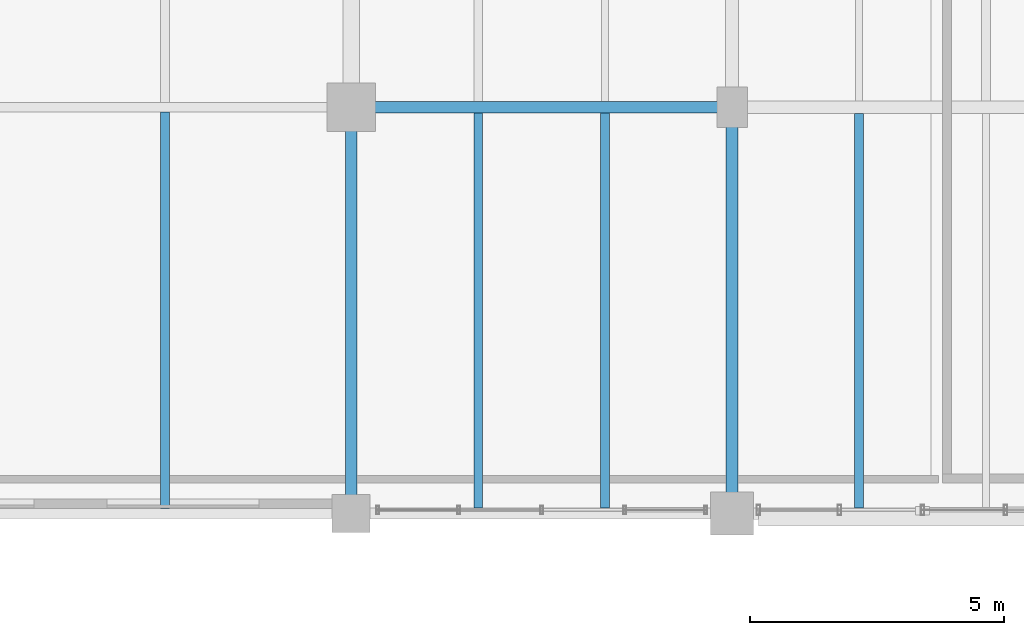
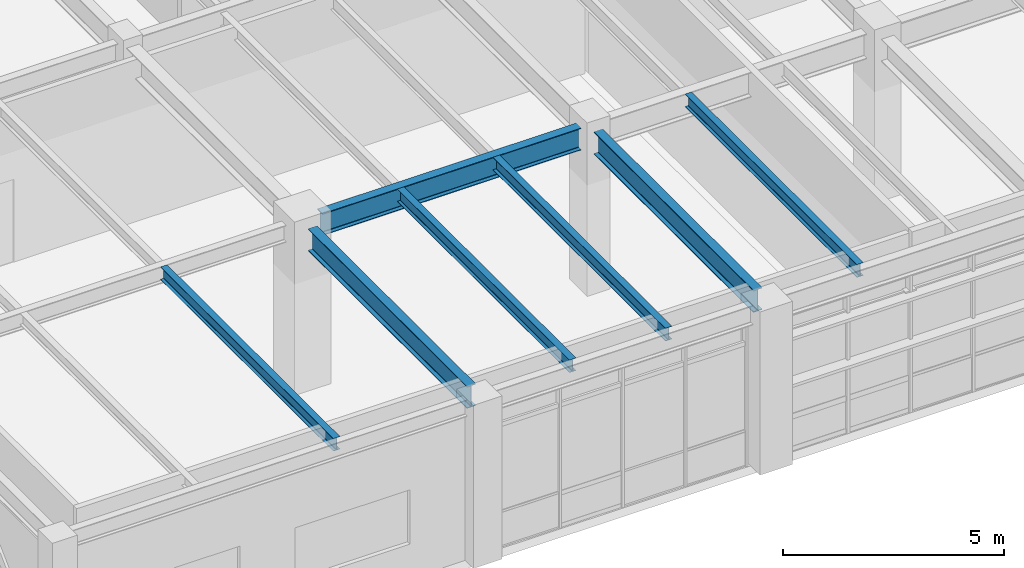
# One storey, part 55 of 200: 7 beams.
"""IFC4 building model written with IfcOpenShell, lengths in metres."""

from ifc_helpers import new_model, si_unit, direction, frame, origin, origin_2d, place, context, subcontext, project, spatial, i_section, extrude, material, material_profile, profile_set, type_object, element, save


model = new_model("IFC4")

# Units and contexts
model_context = context("Model", 3, precision=1e-05, world=origin(), true_north=direction((0.0, 1.0)))
body_context = subcontext(model_context, "Body", "Model", "MODEL_VIEW")
ifc_project = project(units=[si_unit("LENGTHUNIT", "METRE"), si_unit("AREAUNIT", "SQUARE_METRE"), si_unit("VOLUMEUNIT", "CUBIC_METRE"), si_unit("PLANEANGLEUNIT", "RADIAN"), si_unit("MASSUNIT", "GRAM", prefix="KILO"), si_unit("THERMODYNAMICTEMPERATUREUNIT", "KELVIN"), si_unit("POWERUNIT", "WATT")], contexts=[model_context])

# Site, building, storey
site_placement = place(None, origin())
site = spatial("IfcSite", under=ifc_project, at=site_placement, CompositionType="ELEMENT")
building_placement = place(site_placement, origin())
building = spatial("IfcBuilding", under=site, at=building_placement, Name="Tepalcoro Natatorium and Aquatics Centre", CompositionType="ELEMENT")
storey_placement = place(building_placement, frame((0.0, 0.0, 5.39990234375)))
storey = spatial("IfcBuildingStorey", under=building, at=storey_placement, Name="L01", CompositionType="ELEMENT", Elevation=5.39990234375)

# Beams
ifc_material = material(Name="Steel ASTM A992 Grade 50 (Fy 345 MPa)", Category="steel")
ifc_material_profile_1 = material_profile(ifc_material, i_section(OverallWidth=0.22802734375, OverallDepth=0.60693359375, WebThickness=0.010986328125, FlangeThickness=0.01708984375, FilletRadius=0.013916015625, at=origin_2d()), Name="W24X76")
ifc_profile_set_1 = profile_set([ifc_material_profile_1], Name="Steel ASTM A992 Grade 50 (Fy 345 MPa)")
beam_type_1 = type_object("IfcBeamType", Name="BM_W24x76", PredefinedType="BEAM", material=ifc_profile_set_1)
beam_1_placement = place(storey_placement, frame((21.4599609375, 94.0, 4.181640625), z_axis=(1.0, 0.0, 0.0), x_axis=(0.0, 1.0, 0.0)))
element("IfcBeam", 1, at=beam_1_placement, inside=storey, type_object=beam_type_1, Name="V4 L01 Grid Girder X", PredefinedType="BEAM", context=body_context, shape_type="SweptSolid", body=[
    extrude(i_section(OverallWidth=0.22802734375, OverallDepth=0.60693359375, WebThickness=0.010986328125, FlangeThickness=0.01708984375, FilletRadius=0.013916015625, at=origin_2d()), origin(), (0.0, 0.0, 1.0), 6.755126953125),
])
beam_2_placement = place(storey_placement, frame((21.0, 86.360107421875, 4.181640625), z_axis=(0.0, 1.0, 0.0), x_axis=(-1.0, 0.0, 0.0)))
element("IfcBeam", 2, at=beam_2_placement, inside=storey, type_object=beam_type_1, Name="V4 L01 Grid Girder Y", PredefinedType="BEAM", context=body_context, shape_type="SweptSolid", body=[
    extrude(i_section(OverallWidth=0.22802734375, OverallDepth=0.60693359375, WebThickness=0.010986328125, FlangeThickness=0.01708984375, FilletRadius=0.013916015625, at=origin_2d()), origin(), (0.0, 0.0, 1.0), 7.179931640625),
])
ifc_material_profile_2 = material_profile(ifc_material, i_section(OverallWidth=0.22998046875, OverallDepth=0.616943359375, WebThickness=0.012939453125, FlangeThickness=0.02197265625, FilletRadius=0.013916015625, at=origin_2d()), Name="W24X94")
ifc_profile_set_2 = profile_set([ifc_material_profile_2], Name="Steel ASTM A992 Grade 50 (Fy 345 MPa)")
beam_type_2 = type_object("IfcBeamType", Name="BM_W24x94", PredefinedType="BEAM", material=ifc_profile_set_2)
beam_3_placement = place(storey_placement, frame((28.5, 86.409912109375, 4.176513671875), z_axis=(0.0, 1.0, 0.0), x_axis=(-1.0, 0.0, 0.0)))
element("IfcBeam", 3, at=beam_3_placement, inside=storey, type_object=beam_type_2, Name="V4 L01 Grid Girder Y", PredefinedType="BEAM", context=body_context, shape_type="SweptSolid", body=[
    extrude(i_section(OverallWidth=0.22998046875, OverallDepth=0.616943359375, WebThickness=0.012939453125, FlangeThickness=0.02197265625, FilletRadius=0.013916015625, at=origin_2d()), origin(), (0.0, 0.0, 1.0), 7.205078125),
])
ifc_material_profile_3 = material_profile(ifc_material, i_section(OverallWidth=0.1708984375, OverallDepth=0.35107421875, WebThickness=0.007080078125, FlangeThickness=0.010009765625, FilletRadius=0.013916015625, at=origin_2d()), Name="W14X30")
ifc_profile_set_3 = profile_set([ifc_material_profile_3], Name="Steel ASTM A992 Grade 50 (Fy 345 MPa)")
beam_type_3 = type_object("IfcBeamType", Name="JS_W14x30", PredefinedType="JOIST", material=ifc_profile_set_3)
beam_4_placement = place(storey_placement, frame((17.333251953125, 86.095458984375, 4.3095703125), z_axis=(0.0, 1.0, 0.0), x_axis=(-1.0, 0.0, 0.0)))
element("IfcBeam", 4, at=beam_4_placement, inside=storey, type_object=beam_type_3, Name="V4 L01 Floor Joist", PredefinedType="JOIST", context=body_context, shape_type="SweptSolid", body=[
    extrude(i_section(OverallWidth=0.1708984375, OverallDepth=0.35107421875, WebThickness=0.007080078125, FlangeThickness=0.010009765625, FilletRadius=0.013916015625, at=origin_2d()), origin(), (0.0, 0.0, 1.0), 7.80810546875),
])
beam_5_placement = place(storey_placement, frame((23.5, 86.10498046875, 4.3095703125), z_axis=(0.0, 1.0, 0.0), x_axis=(-1.0, 0.0, 0.0)))
element("IfcBeam", 5, at=beam_5_placement, inside=storey, type_object=beam_type_3, Name="V4 L01 Floor Joist", PredefinedType="JOIST", context=body_context, shape_type="SweptSolid", body=[
    extrude(i_section(OverallWidth=0.1708984375, OverallDepth=0.35107421875, WebThickness=0.007080078125, FlangeThickness=0.010009765625, FilletRadius=0.013916015625, at=origin_2d()), origin(), (0.0, 0.0, 1.0), 7.781005859375),
])
ifc_material_profile_4 = material_profile(ifc_material, i_section(OverallWidth=0.172119140625, OverallDepth=0.35791015625, WebThickness=0.008056640625, FlangeThickness=0.012939453125, FilletRadius=0.013916015625, at=origin_2d()), Name="W14X38")
ifc_profile_set_4 = profile_set([ifc_material_profile_4], Name="Steel ASTM A992 Grade 50 (Fy 345 MPa)")
beam_type_4 = type_object("IfcBeamType", Name="JS_W14x38", PredefinedType="JOIST", material=ifc_profile_set_4)
beam_6_placement = place(storey_placement, frame((26.0, 86.10498046875, 4.30615234375), z_axis=(0.0, 1.0, 0.0), x_axis=(-1.0, 0.0, 0.0)))
element("IfcBeam", 6, at=beam_6_placement, inside=storey, type_object=beam_type_4, Name="V4 L01 Floor Joist", PredefinedType="JOIST", context=body_context, shape_type="SweptSolid", body=[
    extrude(i_section(OverallWidth=0.172119140625, OverallDepth=0.35791015625, WebThickness=0.008056640625, FlangeThickness=0.012939453125, FilletRadius=0.013916015625, at=origin_2d()), origin(), (0.0, 0.0, 1.0), 7.781005859375),
])
beam_7_placement = place(storey_placement, frame((31.0, 86.114501953125, 4.30615234375), z_axis=(0.0, 1.0, 0.0), x_axis=(-1.0, 0.0, 0.0)))
element("IfcBeam", 7, at=beam_7_placement, inside=storey, type_object=beam_type_4, Name="V4 L01 Floor Joist", PredefinedType="JOIST", context=body_context, shape_type="SweptSolid", body=[
    extrude(i_section(OverallWidth=0.172119140625, OverallDepth=0.35791015625, WebThickness=0.008056640625, FlangeThickness=0.012939453125, FilletRadius=0.013916015625, at=origin_2d()), origin(), (0.0, 0.0, 1.0), 7.758544921875),
])

save(model, "model.ifc")
